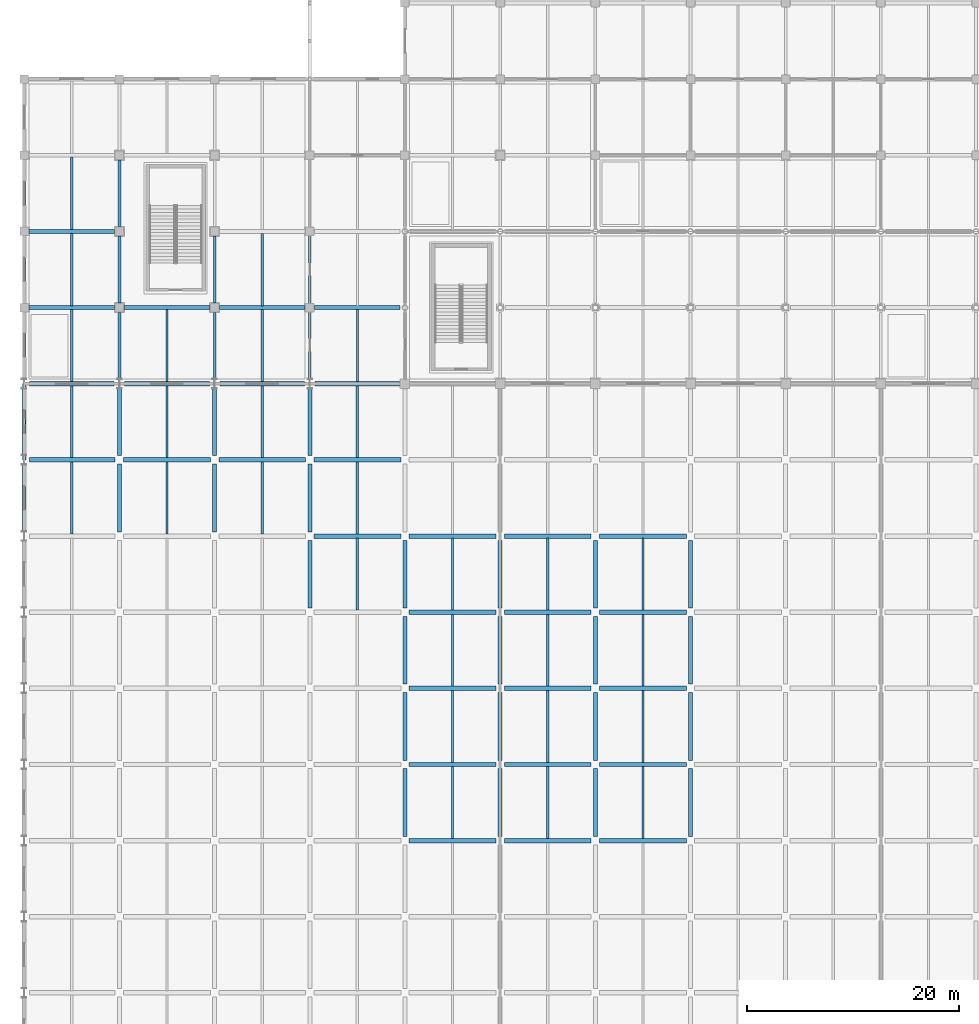
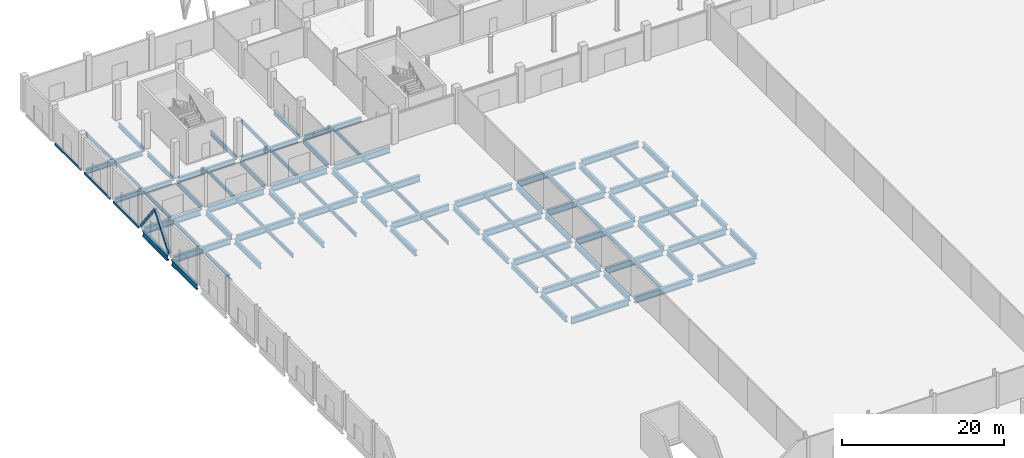
# One storey, part 22 of 137: 92 beams, 2 members.
"""IFC4 building model written with IfcOpenShell, lengths in metres."""

import ifcopenshell
import ifcopenshell.guid

model = None  # the IFC model being written
_history = None  # IfcOwnerHistory: only IFC2X3 demands one
_inside = {}  # id of a spatial element -> (the spatial element, [elements in it])
_under = {}  # id of a project, library or spatial element -> (it, [spatial elements below it])
_declared = {}  # id of a project -> (the project, [libraries it declares])
_typed = {}  # id of a type object -> (the type object, [elements of that type])
_made_of = {}  # id of a material, layer set ... -> (it, [elements and type objects made of it])


def new_model(schema):
    """Start an empty IFC model of exactly this schema.

    Asked for "IFC4X3", IfcOpenShell would pick the latest addendum, in which some entities
    have other attributes; the version numbers below select the first issue.
    IFC2X3 requires an IfcOwnerHistory on every rooted entity: one is made here for all.
    """
    global model, _history
    if schema == "IFC4X3":
        model = ifcopenshell.file(schema_version=(4, 3, 0, 0))
    else:
        model = ifcopenshell.file(schema=schema)
    _inside.clear()
    _under.clear()
    _declared.clear()
    _typed.clear()
    _made_of.clear()
    _history = None
    if model.schema == "IFC2X3":
        org = make("IfcOrganization", Name="unknown")
        user = make(
            "IfcPersonAndOrganization",
            ThePerson=make("IfcPerson", FamilyName="unknown"),
            TheOrganization=org,
        )
        app = make(
            "IfcApplication",
            ApplicationDeveloper=org,
            Version="unknown",
            ApplicationFullName="unknown",
            ApplicationIdentifier="unknown",
        )
        _history = make(
            "IfcOwnerHistory",
            OwningUser=user,
            OwningApplication=app,
            ChangeAction="ADDED",
            CreationDate=0,
        )
    return model


def make(cls, **values):
    """One entity of the class cls with the attributes given. An attribute that is None is left unset."""
    return model.create_entity(
        cls, **{name: value for name, value in values.items() if value is not None}
    )


def rooted(cls, **values):
    """An entity with a GlobalId (a new one), such as an element, a storey or a relation."""
    return make(cls, GlobalId=ifcopenshell.guid.new(), OwnerHistory=_history, **values)


def si_unit(unit_type, name, prefix=None):
    """IfcSIUnit, for example si_unit("LENGTHUNIT", "METRE", prefix="MILLI")."""
    return make("IfcSIUnit", UnitType=unit_type, Prefix=prefix, Name=name)


def assignment(units):
    """IfcUnitAssignment: the units of a project."""
    return None if units is None else make("IfcUnitAssignment", Units=units)


def point(xyz):
    """IfcCartesianPoint."""
    return None if xyz is None else make("IfcCartesianPoint", Coordinates=xyz)


def direction(xyz):
    """IfcDirection."""
    return None if xyz is None else make("IfcDirection", DirectionRatios=xyz)


def frame(location, z_axis=None, x_axis=None):
    """IfcAxis2Placement3D, a coordinate frame: its origin and axes. An axis left out is left unset."""
    return make(
        "IfcAxis2Placement3D",
        Location=point(location),
        Axis=direction(z_axis),
        RefDirection=direction(x_axis),
    )


def frame_2d(location, x_axis=None):
    """IfcAxis2Placement2D, a coordinate frame in the plane: its origin and x axis."""
    return make(
        "IfcAxis2Placement2D", Location=point(location), RefDirection=direction(x_axis)
    )


def origin():
    """The frame at (0, 0, 0) with its axes left unset."""
    return frame((0.0, 0.0, 0.0))


def origin_2d():
    """The frame at (0, 0) in the plane with its x axis left unset."""
    return frame_2d((0.0, 0.0))


def place(relative_to, where):
    """IfcLocalPlacement: puts the frame where relative to a parent placement (None: the world)."""
    return make(
        "IfcLocalPlacement", PlacementRelTo=relative_to, RelativePlacement=where
    )


def context(
    kind, dimensions, precision=None, world=None, true_north=None, identifier=None
):
    """IfcGeometricRepresentationContext, for example the 3D "Model" context."""
    return make(
        "IfcGeometricRepresentationContext",
        ContextIdentifier=identifier,
        ContextType=kind,
        CoordinateSpaceDimension=dimensions,
        Precision=precision,
        WorldCoordinateSystem=world,
        TrueNorth=true_north,
    )


def subcontext(parent, identifier, kind, view, scale=None):
    """IfcGeometricRepresentationSubContext, for example "Body" below "Model"."""
    return make(
        "IfcGeometricRepresentationSubContext",
        ContextIdentifier=identifier,
        ContextType=kind,
        ParentContext=parent,
        TargetScale=scale,
        TargetView=view,
    )


def project(units=None, contexts=None):
    """IfcProject with its units and contexts."""
    return rooted(
        "IfcProject",
        Name="project",
        RepresentationContexts=contexts,
        UnitsInContext=assignment(units),
    )


def spatial(cls, under=None, at=None, **own):
    """A site, building, storey or space (cls), placed at a placement, below another one or the project."""
    s = rooted(cls, ObjectPlacement=at, **own)
    if under is not None:
        _under.setdefault(under.id(), (under, []))[1].append(s)
    return s


def profile(cls, at=None, kind="AREA", **sizes):
    """A parametric profile (cls). Its sizes go by their IFC names, for example OverallWidth=200.0."""
    return make(cls, ProfileType=kind, Position=at, **sizes)


def hollow_rectangle(**sizes):
    """IfcRectangleHollowProfileDef."""
    return profile("IfcRectangleHollowProfileDef", **sizes)


def i_section(**sizes):
    """IfcIShapeProfileDef."""
    return profile("IfcIShapeProfileDef", **sizes)


def extrude(swept, where, along, depth):
    """IfcExtrudedAreaSolid: the profile swept, set in the frame where, extruded along a direction by depth."""
    return make(
        "IfcExtrudedAreaSolid",
        SweptArea=swept,
        Position=where,
        ExtrudedDirection=direction(along),
        Depth=depth,
    )


def shape(context_of_items, identifier, shape_type, items):
    """IfcShapeRepresentation: the items that make up one representation, for example the "Body"."""
    return make(
        "IfcShapeRepresentation",
        ContextOfItems=context_of_items,
        RepresentationIdentifier=identifier,
        RepresentationType=shape_type,
        Items=items,
    )


def material(Name=None, Category=None):
    """IfcMaterial."""
    return make("IfcMaterial", Name=Name, Category=Category)


def material_profile(
    of_material, cross_section, Name=None, Category=None, Priority=None
):
    """IfcMaterialProfile: a cross section and its material."""
    return make(
        "IfcMaterialProfile",
        Name=Name,
        Material=of_material,
        Profile=cross_section,
        Priority=Priority,
        Category=Category,
    )


def profile_set(profiles, Name=None, composite=None):
    """IfcMaterialProfileSet."""
    return make(
        "IfcMaterialProfileSet",
        Name=Name,
        MaterialProfiles=profiles,
        CompositeProfile=composite,
    )


def made_of(thing, what):
    """Note that an element or type object is made of a material, layer set ...; save() writes the relation."""
    if what is not None:
        _made_of.setdefault(what.id(), (what, []))[1].append(thing)
    return thing


def type_object(cls, material=None, **own):
    """A type object (cls), such as IfcWallType, which elements share."""
    return made_of(rooted(cls, **own), material)


def element(
    cls,
    number,
    at=None,
    inside=None,
    cuts=None,
    type_object=None,
    material=None,
    context=None,
    identifier="Body",
    shape_type=None,
    held_by="IfcProductDefinitionShape",
    body=None,
    shapes=None,
    **own,
):
    """One element of the class cls, such as IfcWall. Its Tag is "e" and its number.

    at: its placement. inside: the storey or other place that contains it. cuts: it is an
    opening in that element (IfcRelVoidsElement). A single representation is given by context,
    identifier, shape_type and body (its items); several are given by shapes. held_by: the class
    of the entity that holds the representations. save() writes the other relations.
    """
    e = rooted(cls, Tag="e%d" % number, ObjectPlacement=at, **own)
    if body is not None:
        shapes = [shape(context, identifier, shape_type, body)]
    if shapes is not None:
        e.Representation = make(held_by, Representations=shapes)
    if inside is not None:
        _inside.setdefault(inside.id(), (inside, []))[1].append(e)
    if cuts is not None:
        rooted(
            "IfcRelVoidsElement", RelatingBuildingElement=cuts, RelatedOpeningElement=e
        )
    if type_object is not None:
        _typed.setdefault(type_object.id(), (type_object, []))[1].append(e)
    return made_of(e, material)


def aggregate(whole, parts):
    """IfcRelAggregates: a whole, such as a stair, and the parts it consists of."""
    return rooted("IfcRelAggregates", RelatingObject=whole, RelatedObjects=parts)


def save(model, path):
    """Write the relations noted so far, then the file.

    IfcRelAggregates (storeys below a building ...), IfcRelContainedInSpatialStructure (elements
    in a storey), IfcRelDefinesByType, IfcRelAssociatesMaterial and IfcRelDeclares: one each for
    every whole, place, type object, material and project.
    """
    for whole, parts in _under.values():
        aggregate(whole, parts)
    for where, things in _inside.values():
        rooted(
            "IfcRelContainedInSpatialStructure",
            RelatedElements=things,
            RelatingStructure=where,
        )
    for kind, things in _typed.values():
        rooted("IfcRelDefinesByType", RelatedObjects=things, RelatingType=kind)
    for what, things in _made_of.values():
        rooted("IfcRelAssociatesMaterial", RelatedObjects=things, RelatingMaterial=what)
    for by, libraries in _declared.values():
        rooted("IfcRelDeclares", RelatingContext=by, RelatedDefinitions=libraries)
    model.write(path)


model = new_model("IFC4")

# Units and contexts
model_context = context("Model", 3, precision=1e-05, world=origin(), true_north=direction((0.0, 1.0)))
body_context = subcontext(model_context, "Body", "Model", "MODEL_VIEW")
ifc_project = project(units=[si_unit("LENGTHUNIT", "METRE"), si_unit("AREAUNIT", "SQUARE_METRE"), si_unit("VOLUMEUNIT", "CUBIC_METRE"), si_unit("PLANEANGLEUNIT", "RADIAN"), si_unit("MASSUNIT", "GRAM", prefix="KILO")], contexts=[model_context])

# Site, building, storey
site_placement = place(None, origin())
site = spatial("IfcSite", under=ifc_project, at=site_placement, CompositionType="ELEMENT")
building_placement = place(site_placement, origin())
building = spatial("IfcBuilding", under=site, at=building_placement, Name="Celestram Park Convention Centre", CompositionType="ELEMENT")
storey_placement = place(building_placement, origin())
storey = spatial("IfcBuildingStorey", under=building, at=storey_placement, Name="L00", CompositionType="ELEMENT", Elevation=0.0)

# Beams
ifc_material_1 = material(Name="Steel ASTM A992 Grade 50", Category="steel")
ifc_material_profile_1 = material_profile(ifc_material_1, i_section(OverallWidth=0.35595703125, OverallDepth=0.696044921875, WebThickness=0.015380859375, FlangeThickness=0.02490234375, at=origin_2d()), Name="W27X146")
ifc_profile_set_1 = profile_set([ifc_material_profile_1], Name="Steel ASTM A992 Grade 50")
beam_type_1 = type_object("IfcBeamType", Name="STR-BM-W27X146", PredefinedType="BEAM", material=ifc_profile_set_1)
for number, where, z_axis, x_axis, name in (
    (1, (0.447998046875, 115.199951171875, -0.66796875), (1.0, 0.0, 0.0), (0.0, 1.0, 0.0), "Primary X-girder BG-L00-0027"),
    (2, (0.447998046875, 122.39990234375, -0.66796875), (1.0, 0.0, 0.0), (0.0, 1.0, 0.0), "Primary X-girder BG-L00-0029"),
    (3, (9.447998046875, 115.199951171875, -0.66796875), (1.0, 0.0, 0.0), (0.0, 1.0, 0.0), "Primary X-girder BG-L00-0060"),
    (4, (18.447998046875, 115.199951171875, -0.66796875), (1.0, 0.0, 0.0), (0.0, 1.0, 0.0), "Primary X-girder BG-L00-0092"),
    (5, (27.447998046875, 115.199951171875, -0.66796875), (1.0, 0.0, 0.0), (0.0, 1.0, 0.0), "Primary X-girder BG-L00-0124"),
):
    element("IfcBeam", number, at=place(storey_placement, frame(where, z_axis=z_axis, x_axis=x_axis)), inside=storey, type_object=beam_type_1, Name=name, PredefinedType="BEAM", context=body_context, shape_type="SweptSolid", body=[
        extrude(i_section(OverallWidth=0.35595703125, OverallDepth=0.696044921875, WebThickness=0.015380859375, FlangeThickness=0.02490234375, at=origin_2d()), origin(), (0.0, 0.0, 1.0), 8.10400390625),
    ])
ifc_material_profile_2 = material_profile(ifc_material_1, i_section(OverallWidth=0.25390625, OverallDepth=0.68310546875, WebThickness=0.012451171875, FlangeThickness=0.01904296875, at=origin_2d()), Name="W27X94")
ifc_profile_set_2 = profile_set([ifc_material_profile_2], Name="Steel ASTM A992 Grade 50")
beam_type_2 = type_object("IfcBeamType", Name="STR-BM-W27X94", PredefinedType="BEAM", material=ifc_profile_set_2)
beam_1_placement = place(storey_placement, frame((9.0, 108.498046875, -0.66162109375), z_axis=(0.0, 1.0, 0.0), x_axis=(-1.0, 0.0, 0.0)))
element("IfcBeam", 6, at=beam_1_placement, inside=storey, type_object=beam_type_2, Name="Primary Y-girder BG-L00-0059", PredefinedType="BEAM", context=body_context, shape_type="SweptSolid", body=[
    extrude(i_section(OverallWidth=0.25390625, OverallDepth=0.68310546875, WebThickness=0.012451171875, FlangeThickness=0.01904296875, at=origin_2d()), origin(), (0.0, 0.0, 1.0), 6.25390625),
])
beam_2_placement = place(storey_placement, frame((9.0, 115.64794921875, -0.66162109375), z_axis=(0.0, 1.0, 0.0), x_axis=(-1.0, 0.0, 0.0)))
element("IfcBeam", 7, at=beam_2_placement, inside=storey, type_object=beam_type_2, Name="Primary Y-girder BG-L00-0061", PredefinedType="BEAM", context=body_context, shape_type="SweptSolid", body=[
    extrude(i_section(OverallWidth=0.25390625, OverallDepth=0.68310546875, WebThickness=0.012451171875, FlangeThickness=0.01904296875, at=origin_2d()), origin(), (0.0, 0.0, 1.0), 6.303955078125),
])
beam_3_placement = place(storey_placement, frame((9.0, 122.847900390625, -0.66162109375), z_axis=(0.0, 1.0, 0.0), x_axis=(-1.0, 0.0, 0.0)))
element("IfcBeam", 8, at=beam_3_placement, inside=storey, type_object=beam_type_2, Name="Primary Y-girder BG-L00-0062", PredefinedType="BEAM", context=body_context, shape_type="SweptSolid", body=[
    extrude(i_section(OverallWidth=0.25390625, OverallDepth=0.68310546875, WebThickness=0.012451171875, FlangeThickness=0.01904296875, at=origin_2d()), origin(), (0.0, 0.0, 1.0), 6.30419921875),
])
beam_4_placement = place(storey_placement, frame((18.0, 108.498046875, -0.66162109375), z_axis=(0.0, 1.0, 0.0), x_axis=(-1.0, 0.0, 0.0)))
element("IfcBeam", 9, at=beam_4_placement, inside=storey, type_object=beam_type_2, Name="Primary Y-girder BG-L00-0091", PredefinedType="BEAM", context=body_context, shape_type="SweptSolid", body=[
    extrude(i_section(OverallWidth=0.25390625, OverallDepth=0.68310546875, WebThickness=0.012451171875, FlangeThickness=0.01904296875, at=origin_2d()), origin(), (0.0, 0.0, 1.0), 6.25390625),
])
beam_5_placement = place(storey_placement, frame((18.0, 115.64794921875, -0.66162109375), z_axis=(0.0, 1.0, 0.0), x_axis=(-1.0, 0.0, 0.0)))
element("IfcBeam", 10, at=beam_5_placement, inside=storey, type_object=beam_type_2, Name="Primary Y-girder BG-L00-0093", PredefinedType="BEAM", context=body_context, shape_type="SweptSolid", body=[
    extrude(i_section(OverallWidth=0.25390625, OverallDepth=0.68310546875, WebThickness=0.012451171875, FlangeThickness=0.01904296875, at=origin_2d()), origin(), (0.0, 0.0, 1.0), 6.303955078125),
])
beam_6_placement = place(storey_placement, frame((27.0, 108.498046875, -0.66162109375), z_axis=(0.0, 1.0, 0.0), x_axis=(-1.0, 0.0, 0.0)))
element("IfcBeam", 11, at=beam_6_placement, inside=storey, type_object=beam_type_2, Name="Primary Y-girder BG-L00-0123", PredefinedType="BEAM", context=body_context, shape_type="SweptSolid", body=[
    extrude(i_section(OverallWidth=0.25390625, OverallDepth=0.68310546875, WebThickness=0.012451171875, FlangeThickness=0.01904296875, at=origin_2d()), origin(), (0.0, 0.0, 1.0), 6.25390625),
])
beam_7_placement = place(storey_placement, frame((27.0, 115.64794921875, -0.66162109375), z_axis=(0.0, 1.0, 0.0), x_axis=(-1.0, 0.0, 0.0)))
element("IfcBeam", 12, at=beam_7_placement, inside=storey, type_object=beam_type_2, Name="Primary Y-girder BG-L00-0125", PredefinedType="BEAM", context=body_context, shape_type="SweptSolid", body=[
    extrude(i_section(OverallWidth=0.25390625, OverallDepth=0.68310546875, WebThickness=0.012451171875, FlangeThickness=0.01904296875, at=origin_2d()), origin(), (0.0, 0.0, 1.0), 6.303955078125),
])
ifc_material_profile_3 = material_profile(ifc_material_1, i_section(OverallWidth=0.381103515625, OverallDepth=0.77197265625, WebThickness=0.0166015625, FlangeThickness=0.027099609375, at=origin_2d()), Name="W30X173")
ifc_profile_set_3 = profile_set([ifc_material_profile_3], Name="Steel ASTM A992 Grade 50")
beam_type_3 = type_object("IfcBeamType", Name="STR-BM-W30X173", PredefinedType="BEAM", material=ifc_profile_set_3)
beam_8_placement = place(storey_placement, frame((0.0, 94.097900390625, -0.74609375), z_axis=(0.0, 1.0, 0.0), x_axis=(-1.0, 0.0, 0.0)))
element("IfcBeam", 13, at=beam_8_placement, inside=storey, type_object=beam_type_3, Name="Primary Y-girder BG-L00-0022", PredefinedType="BEAM", context=body_context, shape_type="SweptSolid", body=[
    extrude(i_section(OverallWidth=0.381103515625, OverallDepth=0.77197265625, WebThickness=0.0166015625, FlangeThickness=0.027099609375, at=origin_2d()), origin(), (0.0, 0.0, 1.0), 6.2041015625),
])
beam_9_placement = place(storey_placement, frame((0.0, 101.298095703125, -0.74609375), z_axis=(0.0, 1.0, 0.0), x_axis=(-1.0, 0.0, 0.0)))
element("IfcBeam", 14, at=beam_9_placement, inside=storey, type_object=beam_type_3, Name="Primary Y-girder BG-L00-0024", PredefinedType="BEAM", context=body_context, shape_type="SweptSolid", body=[
    extrude(i_section(OverallWidth=0.381103515625, OverallDepth=0.77197265625, WebThickness=0.0166015625, FlangeThickness=0.027099609375, at=origin_2d()), origin(), (0.0, 0.0, 1.0), 6.203857421875),
])
beam_10_placement = place(storey_placement, frame((9.0, 93.998046875, -0.74609375), z_axis=(0.0, 1.0, 0.0), x_axis=(-1.0, 0.0, 0.0)))
element("IfcBeam", 15, at=beam_10_placement, inside=storey, type_object=beam_type_3, Name="Primary Y-girder BG-L00-0055", PredefinedType="BEAM", context=body_context, shape_type="SweptSolid", body=[
    extrude(i_section(OverallWidth=0.381103515625, OverallDepth=0.77197265625, WebThickness=0.0166015625, FlangeThickness=0.027099609375, at=origin_2d()), origin(), (0.0, 0.0, 1.0), 6.404052734375),
])
beam_11_placement = place(storey_placement, frame((9.0, 101.197998046875, -0.74609375), z_axis=(0.0, 1.0, 0.0), x_axis=(-1.0, 0.0, 0.0)))
element("IfcBeam", 16, at=beam_11_placement, inside=storey, type_object=beam_type_3, Name="Primary Y-girder BG-L00-0057", PredefinedType="BEAM", context=body_context, shape_type="SweptSolid", body=[
    extrude(i_section(OverallWidth=0.381103515625, OverallDepth=0.77197265625, WebThickness=0.0166015625, FlangeThickness=0.027099609375, at=origin_2d()), origin(), (0.0, 0.0, 1.0), 6.303955078125),
])
beam_12_placement = place(storey_placement, frame((18.0, 93.998046875, -0.74609375), z_axis=(0.0, 1.0, 0.0), x_axis=(-1.0, 0.0, 0.0)))
element("IfcBeam", 17, at=beam_12_placement, inside=storey, type_object=beam_type_3, Name="Primary Y-girder BG-L00-0087", PredefinedType="BEAM", context=body_context, shape_type="SweptSolid", body=[
    extrude(i_section(OverallWidth=0.381103515625, OverallDepth=0.77197265625, WebThickness=0.0166015625, FlangeThickness=0.027099609375, at=origin_2d()), origin(), (0.0, 0.0, 1.0), 6.404052734375),
])
beam_13_placement = place(storey_placement, frame((18.0, 101.197998046875, -0.74609375), z_axis=(0.0, 1.0, 0.0), x_axis=(-1.0, 0.0, 0.0)))
element("IfcBeam", 18, at=beam_13_placement, inside=storey, type_object=beam_type_3, Name="Primary Y-girder BG-L00-0089", PredefinedType="BEAM", context=body_context, shape_type="SweptSolid", body=[
    extrude(i_section(OverallWidth=0.381103515625, OverallDepth=0.77197265625, WebThickness=0.0166015625, FlangeThickness=0.027099609375, at=origin_2d()), origin(), (0.0, 0.0, 1.0), 6.303955078125),
])
beam_14_placement = place(storey_placement, frame((27.0, 86.798095703125, -0.74609375), z_axis=(0.0, 1.0, 0.0), x_axis=(-1.0, 0.0, 0.0)))
element("IfcBeam", 19, at=beam_14_placement, inside=storey, type_object=beam_type_3, Name="Primary Y-girder BG-L00-0117", PredefinedType="BEAM", context=body_context, shape_type="SweptSolid", body=[
    extrude(i_section(OverallWidth=0.381103515625, OverallDepth=0.77197265625, WebThickness=0.0166015625, FlangeThickness=0.027099609375, at=origin_2d()), origin(), (0.0, 0.0, 1.0), 6.40380859375),
])
beam_15_placement = place(storey_placement, frame((27.0, 93.998046875, -0.74609375), z_axis=(0.0, 1.0, 0.0), x_axis=(-1.0, 0.0, 0.0)))
element("IfcBeam", 20, at=beam_15_placement, inside=storey, type_object=beam_type_3, Name="Primary Y-girder BG-L00-0119", PredefinedType="BEAM", context=body_context, shape_type="SweptSolid", body=[
    extrude(i_section(OverallWidth=0.381103515625, OverallDepth=0.77197265625, WebThickness=0.0166015625, FlangeThickness=0.027099609375, at=origin_2d()), origin(), (0.0, 0.0, 1.0), 6.404052734375),
])
beam_16_placement = place(storey_placement, frame((27.0, 101.197998046875, -0.74609375), z_axis=(0.0, 1.0, 0.0), x_axis=(-1.0, 0.0, 0.0)))
element("IfcBeam", 21, at=beam_16_placement, inside=storey, type_object=beam_type_3, Name="Primary Y-girder BG-L00-0121", PredefinedType="BEAM", context=body_context, shape_type="SweptSolid", body=[
    extrude(i_section(OverallWidth=0.381103515625, OverallDepth=0.77197265625, WebThickness=0.0166015625, FlangeThickness=0.027099609375, at=origin_2d()), origin(), (0.0, 0.0, 1.0), 6.303955078125),
])
for number, where, z_axis, x_axis, name in (
    (22, (36.0, 65.197998046875, -0.74609375), (0.0, 1.0, 0.0), (-1.0, 0.0, 0.0), "Primary Y-girder BG-L00-0150"),
    (23, (36.0, 72.39794921875, -0.74609375), (0.0, 1.0, 0.0), (-1.0, 0.0, 0.0), "Primary Y-girder BG-L00-0152"),
    (24, (36.0, 79.597900390625, -0.74609375), (0.0, 1.0, 0.0), (-1.0, 0.0, 0.0), "Primary Y-girder BG-L00-0154"),
):
    element("IfcBeam", number, at=place(storey_placement, frame(where, z_axis=z_axis, x_axis=x_axis)), inside=storey, type_object=beam_type_3, Name=name, PredefinedType="BEAM", context=body_context, shape_type="SweptSolid", body=[
        extrude(i_section(OverallWidth=0.381103515625, OverallDepth=0.77197265625, WebThickness=0.0166015625, FlangeThickness=0.027099609375, at=origin_2d()), origin(), (0.0, 0.0, 1.0), 6.404052734375),
    ])
beam_17_placement = place(storey_placement, frame((36.0, 86.798095703125, -0.74609375), z_axis=(0.0, 1.0, 0.0), x_axis=(-1.0, 0.0, 0.0)))
element("IfcBeam", 25, at=beam_17_placement, inside=storey, type_object=beam_type_3, Name="Primary Y-girder BG-L00-0156", PredefinedType="BEAM", context=body_context, shape_type="SweptSolid", body=[
    extrude(i_section(OverallWidth=0.381103515625, OverallDepth=0.77197265625, WebThickness=0.0166015625, FlangeThickness=0.027099609375, at=origin_2d()), origin(), (0.0, 0.0, 1.0), 6.40380859375),
])
for number, where, z_axis, x_axis, name in (
    (26, (45.0, 65.197998046875, -0.74609375), (0.0, 1.0, 0.0), (-1.0, 0.0, 0.0), "Primary Y-girder BG-L00-0194"),
    (27, (45.0, 72.39794921875, -0.74609375), (0.0, 1.0, 0.0), (-1.0, 0.0, 0.0), "Primary Y-girder BG-L00-0196"),
    (28, (45.0, 79.597900390625, -0.74609375), (0.0, 1.0, 0.0), (-1.0, 0.0, 0.0), "Primary Y-girder BG-L00-0198"),
):
    element("IfcBeam", number, at=place(storey_placement, frame(where, z_axis=z_axis, x_axis=x_axis)), inside=storey, type_object=beam_type_3, Name=name, PredefinedType="BEAM", context=body_context, shape_type="SweptSolid", body=[
        extrude(i_section(OverallWidth=0.381103515625, OverallDepth=0.77197265625, WebThickness=0.0166015625, FlangeThickness=0.027099609375, at=origin_2d()), origin(), (0.0, 0.0, 1.0), 6.404052734375),
    ])
beam_18_placement = place(storey_placement, frame((45.0, 86.798095703125, -0.74609375), z_axis=(0.0, 1.0, 0.0), x_axis=(-1.0, 0.0, 0.0)))
element("IfcBeam", 29, at=beam_18_placement, inside=storey, type_object=beam_type_3, Name="Primary Y-girder BG-L00-0200", PredefinedType="BEAM", context=body_context, shape_type="SweptSolid", body=[
    extrude(i_section(OverallWidth=0.381103515625, OverallDepth=0.77197265625, WebThickness=0.0166015625, FlangeThickness=0.027099609375, at=origin_2d()), origin(), (0.0, 0.0, 1.0), 6.40380859375),
])
for number, where, z_axis, x_axis, name in (
    (30, (54.0, 65.197998046875, -0.74609375), (0.0, 1.0, 0.0), (-1.0, 0.0, 0.0), "Primary Y-girder BG-L00-0241"),
    (31, (54.0, 72.39794921875, -0.74609375), (0.0, 1.0, 0.0), (-1.0, 0.0, 0.0), "Primary Y-girder BG-L00-0243"),
    (32, (54.0, 79.597900390625, -0.74609375), (0.0, 1.0, 0.0), (-1.0, 0.0, 0.0), "Primary Y-girder BG-L00-0245"),
):
    element("IfcBeam", number, at=place(storey_placement, frame(where, z_axis=z_axis, x_axis=x_axis)), inside=storey, type_object=beam_type_3, Name=name, PredefinedType="BEAM", context=body_context, shape_type="SweptSolid", body=[
        extrude(i_section(OverallWidth=0.381103515625, OverallDepth=0.77197265625, WebThickness=0.0166015625, FlangeThickness=0.027099609375, at=origin_2d()), origin(), (0.0, 0.0, 1.0), 6.404052734375),
    ])
beam_19_placement = place(storey_placement, frame((54.0, 86.798095703125, -0.74609375), z_axis=(0.0, 1.0, 0.0), x_axis=(-1.0, 0.0, 0.0)))
element("IfcBeam", 33, at=beam_19_placement, inside=storey, type_object=beam_type_3, Name="Primary Y-girder BG-L00-0247", PredefinedType="BEAM", context=body_context, shape_type="SweptSolid", body=[
    extrude(i_section(OverallWidth=0.381103515625, OverallDepth=0.77197265625, WebThickness=0.0166015625, FlangeThickness=0.027099609375, at=origin_2d()), origin(), (0.0, 0.0, 1.0), 6.40380859375),
])
for number, where, z_axis, x_axis, name in (
    (34, (63.0, 65.197998046875, -0.74609375), (0.0, 1.0, 0.0), (-1.0, 0.0, 0.0), "Primary Y-girder BG-L00-0288"),
    (35, (63.0, 72.39794921875, -0.74609375), (0.0, 1.0, 0.0), (-1.0, 0.0, 0.0), "Primary Y-girder BG-L00-0290"),
    (36, (63.0, 79.597900390625, -0.74609375), (0.0, 1.0, 0.0), (-1.0, 0.0, 0.0), "Primary Y-girder BG-L00-0292"),
):
    element("IfcBeam", number, at=place(storey_placement, frame(where, z_axis=z_axis, x_axis=x_axis)), inside=storey, type_object=beam_type_3, Name=name, PredefinedType="BEAM", context=body_context, shape_type="SweptSolid", body=[
        extrude(i_section(OverallWidth=0.381103515625, OverallDepth=0.77197265625, WebThickness=0.0166015625, FlangeThickness=0.027099609375, at=origin_2d()), origin(), (0.0, 0.0, 1.0), 6.404052734375),
    ])
beam_20_placement = place(storey_placement, frame((63.0, 86.798095703125, -0.74609375), z_axis=(0.0, 1.0, 0.0), x_axis=(-1.0, 0.0, 0.0)))
element("IfcBeam", 37, at=beam_20_placement, inside=storey, type_object=beam_type_3, Name="Primary Y-girder BG-L00-0294", PredefinedType="BEAM", context=body_context, shape_type="SweptSolid", body=[
    extrude(i_section(OverallWidth=0.381103515625, OverallDepth=0.77197265625, WebThickness=0.0166015625, FlangeThickness=0.027099609375, at=origin_2d()), origin(), (0.0, 0.0, 1.0), 6.40380859375),
])
ifc_material_profile_4 = material_profile(ifc_material_1, i_section(OverallWidth=0.4189453125, OverallDepth=0.927001953125, WebThickness=0.019287109375, FlangeThickness=0.031982421875, at=origin_2d()), Name="W36X231")
ifc_profile_set_4 = profile_set([ifc_material_profile_4], Name="Steel ASTM A992 Grade 50")
beam_type_4 = type_object("IfcBeamType", Name="STR-BM-W36X231", PredefinedType="BEAM", material=ifc_profile_set_4)
beam_21_placement = place(storey_placement, frame((0.498046875, 100.800048828125, -0.823486328125), z_axis=(1.0, 0.0, 0.0), x_axis=(0.0, 1.0, 0.0)))
element("IfcBeam", 38, at=beam_21_placement, inside=storey, type_object=beam_type_4, Name="Primary X-girder BG-L00-0023", PredefinedType="BEAM", context=body_context, shape_type="SweptSolid", body=[
    extrude(i_section(OverallWidth=0.4189453125, OverallDepth=0.927001953125, WebThickness=0.019287109375, FlangeThickness=0.031982421875, at=origin_2d()), origin(), (0.0, 0.0, 1.0), 8.10400390625),
])
beam_22_placement = place(storey_placement, frame((0.498046875, 108.0, -0.823486328125), z_axis=(1.0, 0.0, 0.0), x_axis=(0.0, 1.0, 0.0)))
element("IfcBeam", 39, at=beam_22_placement, inside=storey, type_object=beam_type_4, Name="Primary X-girder BG-L00-0025", PredefinedType="BEAM", context=body_context, shape_type="SweptSolid", body=[
    extrude(i_section(OverallWidth=0.4189453125, OverallDepth=0.927001953125, WebThickness=0.019287109375, FlangeThickness=0.031982421875, at=origin_2d()), origin(), (0.0, 0.0, 1.0), 8.00390625),
])
beam_23_placement = place(storey_placement, frame((9.39794921875, 100.800048828125, -0.823486328125), z_axis=(1.0, 0.0, 0.0), x_axis=(0.0, 1.0, 0.0)))
element("IfcBeam", 40, at=beam_23_placement, inside=storey, type_object=beam_type_4, Name="Primary X-girder BG-L00-0056", PredefinedType="BEAM", context=body_context, shape_type="SweptSolid", body=[
    extrude(i_section(OverallWidth=0.4189453125, OverallDepth=0.927001953125, WebThickness=0.019287109375, FlangeThickness=0.031982421875, at=origin_2d()), origin(), (0.0, 0.0, 1.0), 8.2041015625),
])
beam_24_placement = place(storey_placement, frame((9.498046875, 108.0, -0.823486328125), z_axis=(1.0, 0.0, 0.0), x_axis=(0.0, 1.0, 0.0)))
element("IfcBeam", 41, at=beam_24_placement, inside=storey, type_object=beam_type_4, Name="Primary X-girder BG-L00-0058", PredefinedType="BEAM", context=body_context, shape_type="SweptSolid", body=[
    extrude(i_section(OverallWidth=0.4189453125, OverallDepth=0.927001953125, WebThickness=0.019287109375, FlangeThickness=0.031982421875, at=origin_2d()), origin(), (0.0, 0.0, 1.0), 8.00390625),
])
beam_25_placement = place(storey_placement, frame((18.39794921875, 100.800048828125, -0.823486328125), z_axis=(1.0, 0.0, 0.0), x_axis=(0.0, 1.0, 0.0)))
element("IfcBeam", 42, at=beam_25_placement, inside=storey, type_object=beam_type_4, Name="Primary X-girder BG-L00-0088", PredefinedType="BEAM", context=body_context, shape_type="SweptSolid", body=[
    extrude(i_section(OverallWidth=0.4189453125, OverallDepth=0.927001953125, WebThickness=0.019287109375, FlangeThickness=0.031982421875, at=origin_2d()), origin(), (0.0, 0.0, 1.0), 8.2041015625),
])
beam_26_placement = place(storey_placement, frame((18.498046875, 108.0, -0.823486328125), z_axis=(1.0, 0.0, 0.0), x_axis=(0.0, 1.0, 0.0)))
element("IfcBeam", 43, at=beam_26_placement, inside=storey, type_object=beam_type_4, Name="Primary X-girder BG-L00-0090", PredefinedType="BEAM", context=body_context, shape_type="SweptSolid", body=[
    extrude(i_section(OverallWidth=0.4189453125, OverallDepth=0.927001953125, WebThickness=0.019287109375, FlangeThickness=0.031982421875, at=origin_2d()), origin(), (0.0, 0.0, 1.0), 8.00390625),
])
for number, where, z_axis, x_axis, name in (
    (44, (27.39794921875, 93.60009765625, -0.823486328125), (1.0, 0.0, 0.0), (0.0, 1.0, 0.0), "Primary X-girder BG-L00-0118"),
    (45, (27.39794921875, 100.800048828125, -0.823486328125), (1.0, 0.0, 0.0), (0.0, 1.0, 0.0), "Primary X-girder BG-L00-0120"),
):
    element("IfcBeam", number, at=place(storey_placement, frame(where, z_axis=z_axis, x_axis=x_axis)), inside=storey, type_object=beam_type_4, Name=name, PredefinedType="BEAM", context=body_context, shape_type="SweptSolid", body=[
        extrude(i_section(OverallWidth=0.4189453125, OverallDepth=0.927001953125, WebThickness=0.019287109375, FlangeThickness=0.031982421875, at=origin_2d()), origin(), (0.0, 0.0, 1.0), 8.2041015625),
    ])
beam_27_placement = place(storey_placement, frame((27.498046875, 108.0, -0.823486328125), z_axis=(1.0, 0.0, 0.0), x_axis=(0.0, 1.0, 0.0)))
element("IfcBeam", 46, at=beam_27_placement, inside=storey, type_object=beam_type_4, Name="Primary X-girder BG-L00-0122", PredefinedType="BEAM", context=body_context, shape_type="SweptSolid", body=[
    extrude(i_section(OverallWidth=0.4189453125, OverallDepth=0.927001953125, WebThickness=0.019287109375, FlangeThickness=0.031982421875, at=origin_2d()), origin(), (0.0, 0.0, 1.0), 8.00390625),
])
for number, where, z_axis, x_axis, name in (
    (47, (36.39794921875, 64.800048828125, -0.823486328125), (1.0, 0.0, 0.0), (0.0, 1.0, 0.0), "Primary X-girder BG-L00-0149"),
    (48, (36.39794921875, 72.0, -0.823486328125), (1.0, 0.0, 0.0), (0.0, 1.0, 0.0), "Primary X-girder BG-L00-0151"),
    (49, (36.39794921875, 79.199951171875, -0.823486328125), (1.0, 0.0, 0.0), (0.0, 1.0, 0.0), "Primary X-girder BG-L00-0153"),
    (50, (36.39794921875, 86.39990234375, -0.823486328125), (1.0, 0.0, 0.0), (0.0, 1.0, 0.0), "Primary X-girder BG-L00-0155"),
    (51, (36.39794921875, 93.60009765625, -0.823486328125), (1.0, 0.0, 0.0), (0.0, 1.0, 0.0), "Primary X-girder BG-L00-0157"),
    (52, (45.39794921875, 64.800048828125, -0.823486328125), (1.0, 0.0, 0.0), (0.0, 1.0, 0.0), "Primary X-girder BG-L00-0193"),
    (53, (45.39794921875, 72.0, -0.823486328125), (1.0, 0.0, 0.0), (0.0, 1.0, 0.0), "Primary X-girder BG-L00-0195"),
    (54, (45.39794921875, 79.199951171875, -0.823486328125), (1.0, 0.0, 0.0), (0.0, 1.0, 0.0), "Primary X-girder BG-L00-0197"),
    (55, (45.39794921875, 86.39990234375, -0.823486328125), (1.0, 0.0, 0.0), (0.0, 1.0, 0.0), "Primary X-girder BG-L00-0199"),
    (56, (45.39794921875, 93.60009765625, -0.823486328125), (1.0, 0.0, 0.0), (0.0, 1.0, 0.0), "Primary X-girder BG-L00-0201"),
    (57, (54.39794921875, 64.800048828125, -0.823486328125), (1.0, 0.0, 0.0), (0.0, 1.0, 0.0), "Primary X-girder BG-L00-0240"),
    (58, (54.39794921875, 72.0, -0.823486328125), (1.0, 0.0, 0.0), (0.0, 1.0, 0.0), "Primary X-girder BG-L00-0242"),
    (59, (54.39794921875, 79.199951171875, -0.823486328125), (1.0, 0.0, 0.0), (0.0, 1.0, 0.0), "Primary X-girder BG-L00-0244"),
    (60, (54.39794921875, 86.39990234375, -0.823486328125), (1.0, 0.0, 0.0), (0.0, 1.0, 0.0), "Primary X-girder BG-L00-0246"),
    (61, (54.39794921875, 93.60009765625, -0.823486328125), (1.0, 0.0, 0.0), (0.0, 1.0, 0.0), "Primary X-girder BG-L00-0248"),
):
    element("IfcBeam", number, at=place(storey_placement, frame(where, z_axis=z_axis, x_axis=x_axis)), inside=storey, type_object=beam_type_4, Name=name, PredefinedType="BEAM", context=body_context, shape_type="SweptSolid", body=[
        extrude(i_section(OverallWidth=0.4189453125, OverallDepth=0.927001953125, WebThickness=0.019287109375, FlangeThickness=0.031982421875, at=origin_2d()), origin(), (0.0, 0.0, 1.0), 8.2041015625),
    ])

# Members
ifc_material_2 = material(Name="Steel ASTM A500 Grade C", Category="steel")
ifc_material_profile_5 = material_profile(ifc_material_2, hollow_rectangle(XDim=0.35009765625, YDim=0.35009765625, WallThickness=0.01611328125, at=origin_2d()), Name="HSS350X350X16")
ifc_profile_set_5 = profile_set([ifc_material_profile_5], Name="Steel ASTM A500 Grade C")
member_type = type_object("IfcMemberType", Name="STR-BRC-HSS350", PredefinedType="BRACE", material=ifc_profile_set_5)
for number, where, z_axis, x_axis, name in (
    (62, (0.0, 100.919921875, 0.14990234375), (0.0, 0.603313187875, 0.797504355685), (-1.0, 0.0, 0.0), "Chevron braced-frame diagonal BF-L00-005"),
    (63, (0.0, 107.8798828125, 0.14990234375), (0.0, -0.603313187875, 0.797504355685), (1.0, 0.0, 0.0), "Chevron braced-frame diagonal BF-L00-006"),
):
    element("IfcMember", number, at=place(storey_placement, frame(where, z_axis=z_axis, x_axis=x_axis)), inside=storey, type_object=member_type, Name=name, PredefinedType="BRACE", context=body_context, shape_type="SweptSolid", body=[
        extrude(hollow_rectangle(XDim=0.35009765625, YDim=0.35009765625, WallThickness=0.01611328125, at=origin_2d()), origin(), (0.0, 0.0, 1.0), 5.76806640625),
    ])

# Beams
ifc_material_profile_6 = material_profile(ifc_material_1, i_section(OverallWidth=0.2099609375, OverallDepth=0.532958984375, WebThickness=0.01025390625, FlangeThickness=0.015625, at=origin_2d()), Name="W21X62")
ifc_profile_set_6 = profile_set([ifc_material_profile_6], Name="Steel ASTM A992 Grade 50")
beam_type_5 = type_object("IfcBeamType", Name="STR-JST-W21X62", PredefinedType="JOIST", material=ifc_profile_set_6)
beam_28_placement = place(storey_placement, frame((4.5, 108.205078125, -0.58642578125), z_axis=(0.0, 1.0, 0.0), x_axis=(-1.0, 0.0, 0.0)))
element("IfcBeam", 64, at=beam_28_placement, inside=storey, type_object=beam_type_5, Name="Secondary composite joist BG-L00-0892", PredefinedType="JOIST", context=body_context, shape_type="SweptSolid", body=[
    extrude(i_section(OverallWidth=0.2099609375, OverallDepth=0.532958984375, WebThickness=0.01025390625, FlangeThickness=0.015625, at=origin_2d()), origin(), (0.0, 0.0, 1.0), 6.82080078125),
])
for number, where, z_axis, x_axis, name in (
    (65, (4.5, 115.3740234375, -0.58642578125), (0.0, 1.0, 0.0), (-1.0, 0.0, 0.0), "Secondary composite joist BG-L00-0893"),
    (66, (4.5, 122.573974609375, -0.58642578125), (0.0, 1.0, 0.0), (-1.0, 0.0, 0.0), "Secondary composite joist BG-L00-0894"),
):
    element("IfcBeam", number, at=place(storey_placement, frame(where, z_axis=z_axis, x_axis=x_axis)), inside=storey, type_object=beam_type_5, Name=name, PredefinedType="JOIST", context=body_context, shape_type="SweptSolid", body=[
        extrude(i_section(OverallWidth=0.2099609375, OverallDepth=0.532958984375, WebThickness=0.01025390625, FlangeThickness=0.015625, at=origin_2d()), origin(), (0.0, 0.0, 1.0), 6.85205078125),
    ])
for number, where, z_axis, x_axis, name in (
    (67, (13.5, 108.205078125, -0.58642578125), (0.0, 1.0, 0.0), (-1.0, 0.0, 0.0), "Secondary composite joist BG-L00-0908"),
    (68, (22.5, 108.205078125, -0.58642578125), (0.0, 1.0, 0.0), (-1.0, 0.0, 0.0), "Secondary composite joist BG-L00-0922"),
):
    element("IfcBeam", number, at=place(storey_placement, frame(where, z_axis=z_axis, x_axis=x_axis)), inside=storey, type_object=beam_type_5, Name=name, PredefinedType="JOIST", context=body_context, shape_type="SweptSolid", body=[
        extrude(i_section(OverallWidth=0.2099609375, OverallDepth=0.532958984375, WebThickness=0.01025390625, FlangeThickness=0.015625, at=origin_2d()), origin(), (0.0, 0.0, 1.0), 6.82080078125),
    ])
beam_29_placement = place(storey_placement, frame((22.5, 115.3740234375, -0.58642578125), z_axis=(0.0, 1.0, 0.0), x_axis=(-1.0, 0.0, 0.0)))
element("IfcBeam", 69, at=beam_29_placement, inside=storey, type_object=beam_type_5, Name="Secondary composite joist BG-L00-0923", PredefinedType="JOIST", context=body_context, shape_type="SweptSolid", body=[
    extrude(i_section(OverallWidth=0.2099609375, OverallDepth=0.532958984375, WebThickness=0.01025390625, FlangeThickness=0.015625, at=origin_2d()), origin(), (0.0, 0.0, 1.0), 6.85205078125),
])
beam_30_placement = place(storey_placement, frame((31.5, 108.205078125, -0.58642578125), z_axis=(0.0, 1.0, 0.0), x_axis=(-1.0, 0.0, 0.0)))
element("IfcBeam", 70, at=beam_30_placement, inside=storey, type_object=beam_type_5, Name="Secondary composite joist BG-L00-0936", PredefinedType="JOIST", context=body_context, shape_type="SweptSolid", body=[
    extrude(i_section(OverallWidth=0.2099609375, OverallDepth=0.532958984375, WebThickness=0.01025390625, FlangeThickness=0.015625, at=origin_2d()), origin(), (0.0, 0.0, 1.0), 6.82080078125),
])
ifc_material_profile_7 = material_profile(ifc_material_1, i_section(OverallWidth=0.214111328125, OverallDepth=0.549072265625, WebThickness=0.0146484375, FlangeThickness=0.023681640625, at=origin_2d()), Name="W21X93")
ifc_profile_set_7 = profile_set([ifc_material_profile_7], Name="Steel ASTM A992 Grade 50")
beam_type_6 = type_object("IfcBeamType", Name="STR-JST-W21X93", PredefinedType="JOIST", material=ifc_profile_set_7)
for number, where, z_axis, x_axis, name in (
    (71, (4.5, 93.804931640625, -0.634521484375), (0.0, 1.0, 0.0), (-1.0, 0.0, 0.0), "Secondary composite joist BG-L00-0890"),
    (72, (4.5, 101.0048828125, -0.634521484375), (0.0, 1.0, 0.0), (-1.0, 0.0, 0.0), "Secondary composite joist BG-L00-0891"),
    (73, (13.5, 93.804931640625, -0.634521484375), (0.0, 1.0, 0.0), (-1.0, 0.0, 0.0), "Secondary composite joist BG-L00-0906"),
    (74, (13.5, 101.0048828125, -0.634521484375), (0.0, 1.0, 0.0), (-1.0, 0.0, 0.0), "Secondary composite joist BG-L00-0907"),
    (75, (22.5, 93.804931640625, -0.634521484375), (0.0, 1.0, 0.0), (-1.0, 0.0, 0.0), "Secondary composite joist BG-L00-0920"),
    (76, (22.5, 101.0048828125, -0.634521484375), (0.0, 1.0, 0.0), (-1.0, 0.0, 0.0), "Secondary composite joist BG-L00-0921"),
    (77, (31.5, 86.60498046875, -0.634521484375), (0.0, 1.0, 0.0), (-1.0, 0.0, 0.0), "Secondary composite joist BG-L00-0933"),
    (78, (31.5, 93.804931640625, -0.634521484375), (0.0, 1.0, 0.0), (-1.0, 0.0, 0.0), "Secondary composite joist BG-L00-0934"),
    (79, (31.5, 101.0048828125, -0.634521484375), (0.0, 1.0, 0.0), (-1.0, 0.0, 0.0), "Secondary composite joist BG-L00-0935"),
    (80, (40.5, 65.0048828125, -0.634521484375), (0.0, 1.0, 0.0), (-1.0, 0.0, 0.0), "Secondary composite joist BG-L00-0949"),
    (81, (40.5, 72.205078125, -0.634521484375), (0.0, 1.0, 0.0), (-1.0, 0.0, 0.0), "Secondary composite joist BG-L00-0950"),
    (82, (40.5, 79.405029296875, -0.634521484375), (0.0, 1.0, 0.0), (-1.0, 0.0, 0.0), "Secondary composite joist BG-L00-0951"),
    (83, (40.5, 86.60498046875, -0.634521484375), (0.0, 1.0, 0.0), (-1.0, 0.0, 0.0), "Secondary composite joist BG-L00-0952"),
    (84, (49.5, 65.0048828125, -0.634521484375), (0.0, 1.0, 0.0), (-1.0, 0.0, 0.0), "Secondary composite joist BG-L00-0967"),
    (85, (49.5, 72.205078125, -0.634521484375), (0.0, 1.0, 0.0), (-1.0, 0.0, 0.0), "Secondary composite joist BG-L00-0968"),
    (86, (49.5, 79.405029296875, -0.634521484375), (0.0, 1.0, 0.0), (-1.0, 0.0, 0.0), "Secondary composite joist BG-L00-0969"),
    (87, (49.5, 86.60498046875, -0.634521484375), (0.0, 1.0, 0.0), (-1.0, 0.0, 0.0), "Secondary composite joist BG-L00-0970"),
    (88, (58.5, 65.0048828125, -0.634521484375), (0.0, 1.0, 0.0), (-1.0, 0.0, 0.0), "Secondary composite joist BG-L00-0989"),
    (89, (58.5, 72.205078125, -0.634521484375), (0.0, 1.0, 0.0), (-1.0, 0.0, 0.0), "Secondary composite joist BG-L00-0990"),
    (90, (58.5, 79.405029296875, -0.634521484375), (0.0, 1.0, 0.0), (-1.0, 0.0, 0.0), "Secondary composite joist BG-L00-0991"),
    (91, (58.5, 86.60498046875, -0.634521484375), (0.0, 1.0, 0.0), (-1.0, 0.0, 0.0), "Secondary composite joist BG-L00-0992"),
):
    element("IfcBeam", number, at=place(storey_placement, frame(where, z_axis=z_axis, x_axis=x_axis)), inside=storey, type_object=beam_type_6, Name=name, PredefinedType="JOIST", context=body_context, shape_type="SweptSolid", body=[
        extrude(i_section(OverallWidth=0.214111328125, OverallDepth=0.549072265625, WebThickness=0.0146484375, FlangeThickness=0.023681640625, at=origin_2d()), origin(), (0.0, 0.0, 1.0), 6.7900390625),
    ])
ifc_material_profile_8 = material_profile(ifc_material_2, hollow_rectangle(XDim=0.199951171875, YDim=0.300048828125, WallThickness=0.011962890625, at=origin_2d()), Name="HSS300X200X12")
ifc_profile_set_8 = profile_set([ifc_material_profile_8], Name="Steel ASTM A500 Grade C")
beam_type_7 = type_object("IfcBeamType", Name="STR-SPN-HSS300X200", PredefinedType="SPANDREL", material=ifc_profile_set_8)
beam_31_placement = place(storey_placement, frame((0.0, 108.498046875, -0.469970703125), z_axis=(0.0, 1.0, 0.0), x_axis=(-1.0, 0.0, 0.0)))
element("IfcBeam", 92, at=beam_31_placement, inside=storey, type_object=beam_type_7, Name="Primary Y-girder BG-L00-0026", PredefinedType="SPANDREL", context=body_context, shape_type="SweptSolid", body=[
    extrude(hollow_rectangle(XDim=0.199951171875, YDim=0.300048828125, WallThickness=0.011962890625, at=origin_2d()), origin(), (0.0, 0.0, 1.0), 6.25390625),
])
beam_32_placement = place(storey_placement, frame((0.0, 115.64794921875, -0.469970703125), z_axis=(0.0, 1.0, 0.0), x_axis=(-1.0, 0.0, 0.0)))
element("IfcBeam", 93, at=beam_32_placement, inside=storey, type_object=beam_type_7, Name="Primary Y-girder BG-L00-0028", PredefinedType="SPANDREL", context=body_context, shape_type="SweptSolid", body=[
    extrude(hollow_rectangle(XDim=0.199951171875, YDim=0.300048828125, WallThickness=0.011962890625, at=origin_2d()), origin(), (0.0, 0.0, 1.0), 6.303955078125),
])
beam_33_placement = place(storey_placement, frame((0.0, 122.847900390625, -0.469970703125), z_axis=(0.0, 1.0, 0.0), x_axis=(-1.0, 0.0, 0.0)))
element("IfcBeam", 94, at=beam_33_placement, inside=storey, type_object=beam_type_7, Name="Primary Y-girder BG-L00-0030", PredefinedType="SPANDREL", context=body_context, shape_type="SweptSolid", body=[
    extrude(hollow_rectangle(XDim=0.199951171875, YDim=0.300048828125, WallThickness=0.011962890625, at=origin_2d()), origin(), (0.0, 0.0, 1.0), 6.30419921875),
])

save(model, "model.ifc")
